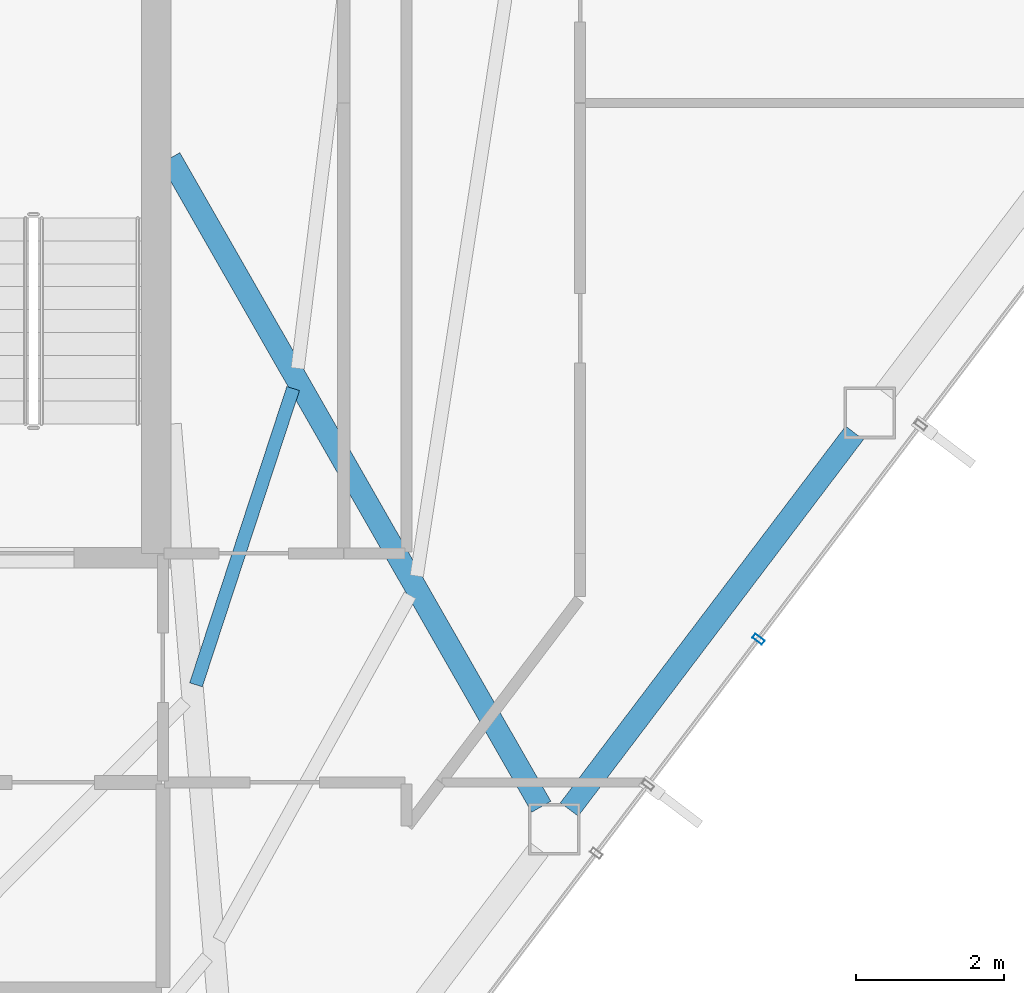
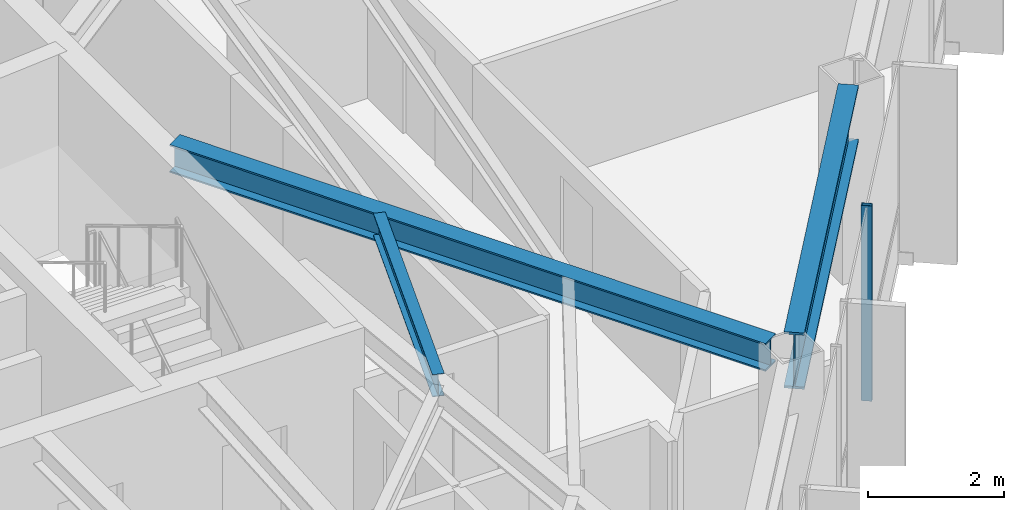
# One storey, part 19 of 28: 3 beams, 1 member, 1 element without a shape of its own.
"""IFC4 building model written with IfcOpenShell, lengths in metres."""

from ifc_helpers import new_model, si_unit, direction, frame, origin, origin_2d, place, context, subcontext, project, spatial, hollow_rectangle, i_section, extrude, material, layer, layer_set, material_profile, profile_set, type_object, element, aggregate, save


model = new_model("IFC4")

# Units and contexts
model_context = context("Model", 3, precision=1e-05, world=origin(), true_north=direction((0.0, 1.0)))
body_context = subcontext(model_context, "Body", "Model", "MODEL_VIEW")
ifc_project = project(units=[si_unit("LENGTHUNIT", "METRE"), si_unit("AREAUNIT", "SQUARE_METRE"), si_unit("VOLUMEUNIT", "CUBIC_METRE"), si_unit("PLANEANGLEUNIT", "RADIAN"), si_unit("MASSUNIT", "GRAM", prefix="KILO")], contexts=[model_context])

# Site, building, storey
site_placement = place(None, origin())
site = spatial("IfcSite", under=ifc_project, at=site_placement, CompositionType="ELEMENT")
building_placement = place(site_placement, origin())
building = spatial("IfcBuilding", under=site, at=building_placement, Name="Zarrinselat Tower", CompositionType="ELEMENT")
storey_placement = place(building_placement, frame((0.0, 0.0, 187.0)))
storey = spatial("IfcBuildingStorey", under=building, at=storey_placement, Name="L46", CompositionType="ELEMENT", Elevation=187.0)

# Beams
ifc_material_1 = material(Name="Steel S355J2", Category="steel")
ifc_material_profile_1 = material_profile(ifc_material_1, i_section(OverallWidth=0.300048828125, OverallDepth=0.5, WebThickness=0.014404296875, FlangeThickness=0.028076171875, at=origin_2d()), Name="HEB 500")
ifc_profile_set_1 = profile_set([ifc_material_profile_1], Name="Steel S355J2")
beam_type_1 = type_object("IfcBeamType", Name="BM-HEB500", PredefinedType="BEAM", material=ifc_profile_set_1)
beam_1_placement = place(storey_placement, frame((48.449951171875, 38.60009765625, 3.25), z_axis=(0.496601472086, -0.867978673656, 0.0), x_axis=(0.867978673656, 0.496601472086, 0.0)))
element("IfcBeam", 1, at=beam_1_placement, inside=storey, type_object=beam_type_1, Name="L46 Radial Primary Girder RG13", PredefinedType="BEAM", context=body_context, shape_type="SweptSolid", body=[
    extrude(i_section(OverallWidth=0.300048828125, OverallDepth=0.5, WebThickness=0.014404296875, FlangeThickness=0.028076171875, at=origin_2d()), origin(), (0.0, 0.0, 1.0), 10.11669921875),
])
ifc_material_2 = material(Name="Steel S460M", Category="steel")
ifc_material_profile_2 = material_profile(ifc_material_2, i_section(OverallWidth=0.302001953125, OverallDepth=1.008056640625, WebThickness=0.02099609375, FlangeThickness=0.0400390625, at=origin_2d()), Name="HEM 1000")
ifc_profile_set_2 = profile_set([ifc_material_profile_2], Name="Steel S460M")
beam_type_2 = type_object("IfcBeamType", Name="BM-HEM1000", PredefinedType="BEAM", material=ifc_profile_set_2)
beam_2_placement = place(storey_placement, frame((53.852783203125, 29.783203125, 2.99609375), z_axis=(0.603846664563, 0.797100499119, 0.0), x_axis=(-0.797100499119, 0.603846664563, 0.0)))
element("IfcBeam", 2, at=beam_2_placement, inside=storey, type_object=beam_type_2, Name="L46 Perimeter Spandrel Girder SP13", PredefinedType="BEAM", context=body_context, shape_type="SweptSolid", body=[
    extrude(i_section(OverallWidth=0.302001953125, OverallDepth=1.008056640625, WebThickness=0.02099609375, FlangeThickness=0.0400390625, at=origin_2d()), origin(), (0.0, 0.0, 1.0), 6.396240234375),
])
ifc_material_3 = material(Name="Steel S355J2", Category="steel")
ifc_material_profile_3 = material_profile(ifc_material_3, i_section(OverallWidth=0.179931640625, OverallDepth=0.39990234375, WebThickness=0.008544921875, FlangeThickness=0.013427734375, at=origin_2d()), Name="IPE 400")
ifc_profile_set_3 = profile_set([ifc_material_profile_3], Name="Steel S355J2")
beam_type_3 = type_object("IfcBeamType", Name="BM-IPE400", PredefinedType="JOIST", material=ifc_profile_set_3)
beam_3_placement = place(storey_placement, frame((48.79931640625, 31.47021484375, 3.300048828125), z_axis=(0.311556661766, 0.950227576168, 0.0), x_axis=(-0.950227576168, 0.311556661766, 0.0)))
element("IfcBeam", 3, at=beam_3_placement, inside=storey, type_object=beam_type_3, Name="L46 Composite Floor Joist 4-2", PredefinedType="JOIST", context=body_context, shape_type="SweptSolid", body=[
    extrude(i_section(OverallWidth=0.179931640625, OverallDepth=0.39990234375, WebThickness=0.008544921875, FlangeThickness=0.013427734375, at=origin_2d()), origin(), (0.0, 0.0, 1.0), 4.221435546875),
])

# Curtain wall, member
ifc_material_4 = material(Name="Extruded Aluminium Alloy EN AW-6063 T6", Category="aluminium")
ifc_layer = layer(ifc_material_4, 0.175048828125)
ifc_layer_set = layer_set([ifc_layer], Name="Extruded Aluminium Alloy EN AW-6063 T6")
curtain_wall_type = type_object("IfcCurtainWallType", Name="CWS-HTL", PredefinedType="NOTDEFINED", material=ifc_layer_set)
curtain_wall_placement = place(storey_placement, origin())
curtain_wall = element("IfcCurtainWall", 4, at=curtain_wall_placement, inside=storey, type_object=curtain_wall_type, Name="L46 Unitised Curtain Wall CW-L46-E05", PredefinedType="NOTDEFINED")
ifc_material_5 = material(Name="Extruded Aluminium Alloy EN AW-6063 T6", Category="aluminium")
ifc_material_profile_4 = material_profile(ifc_material_5, hollow_rectangle(XDim=0.070068359375, YDim=0.159912109375, WallThickness=0.00390625, at=origin_2d()), Name="RHS 160x70x4")
ifc_profile_set_4 = profile_set([ifc_material_profile_4], Name="Extruded Aluminium Alloy EN AW-6063 T6")
member_type = type_object("IfcMemberType", Name="MEM-CW-MUL2", PredefinedType="MULLION", material=ifc_profile_set_4)
member_placement = place(storey_placement, frame((56.414794921875, 32.08837890625, 0.0), z_axis=(0.0, 0.0, 1.0), x_axis=(0.603856629551, 0.797092950005, 0.0)))
member = element("IfcMember", 5, at=member_placement, type_object=member_type, Name="CW-L46-E05 Mullion 6", PredefinedType="MULLION", context=body_context, shape_type="SweptSolid", body=[
    extrude(hollow_rectangle(XDim=0.070068359375, YDim=0.159912109375, WallThickness=0.00390625, at=origin_2d()), origin(), (0.0, 0.0, 1.0), 3.5),
])
aggregate(curtain_wall, [member])

save(model, "model.ifc")
